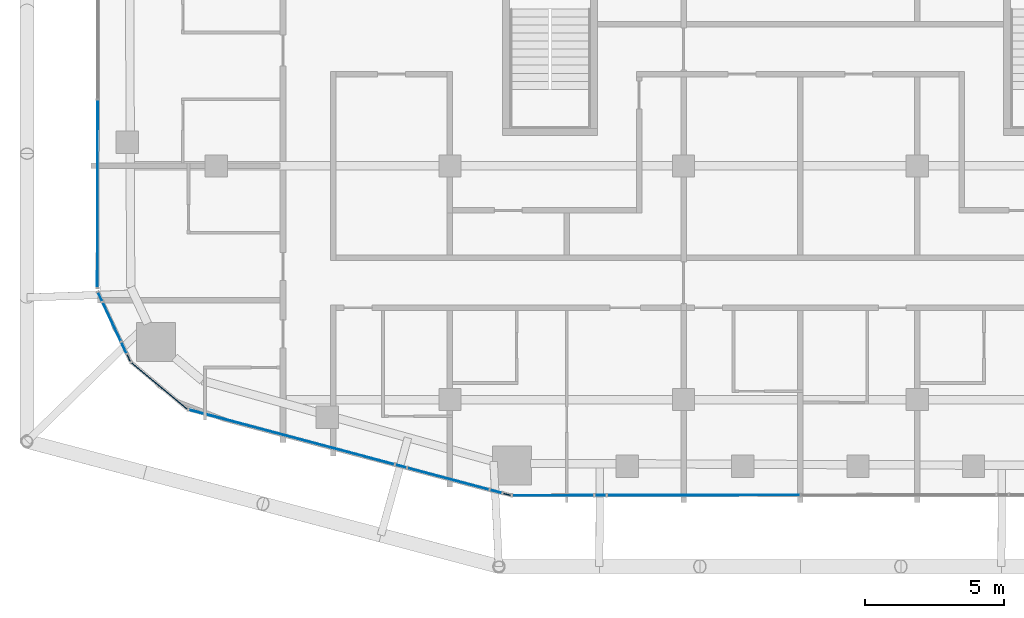
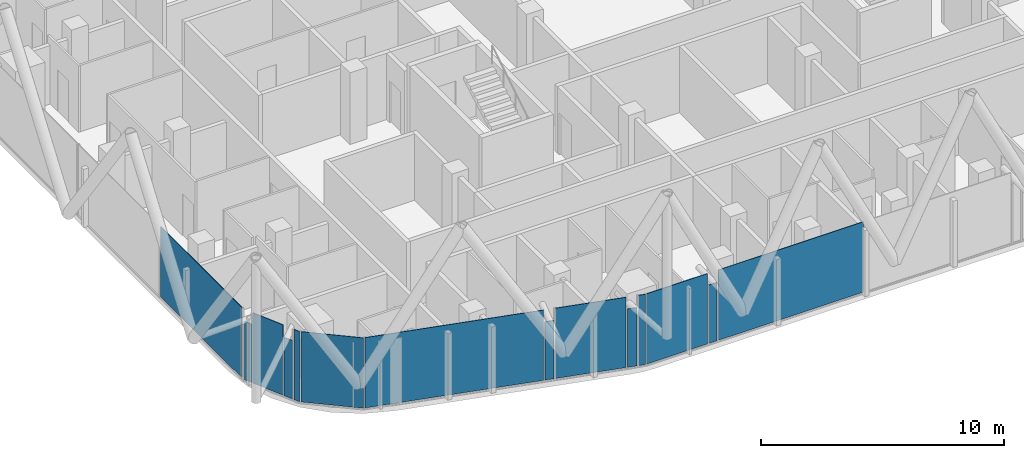
# One storey, part 14 of 31: 14 plates, 14 elements without a shape of their own.
"""IFC4 building model written with IfcOpenShell, lengths in metres."""

from ifc_helpers import new_model, si_unit, direction, frame, origin, origin_2d, place, context, subcontext, project, spatial, rectangle, extrude, material, layer, layer_set, type_object, element, aggregate, save


model = new_model("IFC4")

# Units and contexts
model_context = context("Model", 3, precision=1e-05, world=origin(), true_north=direction((0.0, 1.0)))
body_context = subcontext(model_context, "Body", "Model", "MODEL_VIEW")
ifc_project = project(units=[si_unit("LENGTHUNIT", "METRE"), si_unit("AREAUNIT", "SQUARE_METRE"), si_unit("VOLUMEUNIT", "CUBIC_METRE"), si_unit("PLANEANGLEUNIT", "RADIAN"), si_unit("MASSUNIT", "GRAM", prefix="KILO")], contexts=[model_context])

# Site, building, storey
site_placement = place(None, origin())
site = spatial("IfcSite", under=ifc_project, at=site_placement, CompositionType="ELEMENT")
building_placement = place(site_placement, origin())
building = spatial("IfcBuilding", under=site, at=building_placement, Name="Marenta Gate Hotel Tower", CompositionType="ELEMENT")
storey_placement = place(building_placement, frame((0.0, 0.0, 234.5)))
storey = spatial("IfcBuildingStorey", under=building, at=storey_placement, Name="L55", CompositionType="ELEMENT", Elevation=234.5)

# Curtain wall, plate
ifc_material_1 = material(Name="Tinted insulated glass in bronze anodised frame", Category="glass")
ifc_layer_1 = layer(ifc_material_1, 0.1201171875)
ifc_layer_set_1 = layer_set([ifc_layer_1], Name="Tinted insulated glass in bronze anodised frame")
curtain_wall_type = type_object("IfcCurtainWallType", Name="Tower unitised curtain wall CW1", PredefinedType="NOTDEFINED", material=ifc_layer_set_1)
curtain_wall_1_placement = place(storey_placement, origin())
curtain_wall_1 = element("IfcCurtainWall", 1, at=curtain_wall_1_placement, inside=storey, type_object=curtain_wall_type, Name="CW1 run G08", PredefinedType="NOTDEFINED")
ifc_material_2 = material(Name="Tinted insulated glass", Category="glass")
ifc_layer_2 = layer(ifc_material_2, 0.028076171875)
ifc_layer_set_2 = layer_set([ifc_layer_2], Name="Tinted insulated glass")
plate_type = type_object("IfcPlateType", Name="Glass panel CW1 28 mm tinted insulated unit", PredefinedType="CURTAIN_PANEL", material=ifc_layer_set_2)
plate_1_placement = place(storey_placement, frame((-25.267578125, -17.800537109375, 0.06005859375), z_axis=(0.0, 0.0, 1.0), x_axis=(-0.001564651623, -0.999998775932, 0.0)))
plate_1 = element("IfcPlate", 2, at=plate_1_placement, type_object=plate_type, Name="CW1 panel 3.1", PredefinedType="CURTAIN_PANEL", context=body_context, shape_type="SweptSolid", body=[
    extrude(rectangle(XDim=6.7060546875, YDim=0.028076171875, at=origin_2d()), origin(), (0.0, 0.0, 1.0), 3.5400390625),
])
aggregate(curtain_wall_1, [plate_1])

curtain_wall_2_placement = place(storey_placement, origin())
curtain_wall_2 = element("IfcCurtainWall", 3, at=curtain_wall_2_placement, inside=storey, type_object=curtain_wall_type, Name="CW1 run G09", PredefinedType="NOTDEFINED")
plate_2_placement = place(storey_placement, frame((-25.174560546875, -21.50439453125, 0.06005859375), z_axis=(0.0, 0.0, 1.0), x_axis=(0.423345141478, -0.905968482447, 0.0)))
plate_2 = element("IfcPlate", 4, at=plate_2_placement, type_object=plate_type, Name="CW1 panel 1.1", PredefinedType="CURTAIN_PANEL", context=body_context, shape_type="SweptSolid", body=[
    extrude(rectangle(XDim=0.344970703125, YDim=0.028076171875, at=origin_2d()), origin(), (0.0, 0.0, 1.0), 2.9404296875),
])
aggregate(curtain_wall_2, [plate_2])

curtain_wall_3_placement = place(storey_placement, origin())
curtain_wall_3 = element("IfcCurtainWall", 5, at=curtain_wall_3_placement, inside=storey, type_object=curtain_wall_type, Name="CW1 run G10", PredefinedType="NOTDEFINED")
plate_3_placement = place(storey_placement, frame((-24.75390625, -22.40478515625, 0.06005859375), z_axis=(0.0, 0.0, 1.0), x_axis=(0.423328093078, -0.905976448707, 0.0)))
plate_3 = element("IfcPlate", 6, at=plate_3_placement, type_object=plate_type, Name="CW1 panel 1.1", PredefinedType="CURTAIN_PANEL", context=body_context, shape_type="SweptSolid", body=[
    extrude(rectangle(XDim=1.52294921875, YDim=0.028076171875, at=origin_2d()), origin(), (0.0, 0.0, 1.0), 3.5400390625),
])
aggregate(curtain_wall_3, [plate_3])

curtain_wall_4_placement = place(storey_placement, origin())
curtain_wall_4 = element("IfcCurtainWall", 7, at=curtain_wall_4_placement, inside=storey, type_object=curtain_wall_type, Name="CW1 run G11", PredefinedType="NOTDEFINED")
plate_4_placement = place(storey_placement, frame((-24.317138671875, -23.33935546875, 0.06005859375), z_axis=(0.0, 0.0, 1.0), x_axis=(0.423387289241, -0.905948786251, 0.0)))
plate_4 = element("IfcPlate", 8, at=plate_4_placement, type_object=plate_type, Name="CW1 panel 1.1", PredefinedType="CURTAIN_PANEL", context=body_context, shape_type="SweptSolid", body=[
    extrude(rectangle(XDim=0.419921875, YDim=0.028076171875, at=origin_2d()), origin(), (0.0, 0.0, 1.0), 2.9404296875),
])
aggregate(curtain_wall_4, [plate_4])

curtain_wall_5_placement = place(storey_placement, origin())
curtain_wall_5 = element("IfcCurtainWall", 9, at=curtain_wall_5_placement, inside=storey, type_object=curtain_wall_type, Name="CW1 run G12", PredefinedType="NOTDEFINED")
plate_5_placement = place(storey_placement, frame((-24.142822265625, -23.71240234375, 0.06005859375), z_axis=(0.0, 0.0, 1.0), x_axis=(0.423299800084, -0.905989668401, 0.0)))
plate_5 = element("IfcPlate", 10, at=plate_5_placement, type_object=plate_type, Name="CW1 panel 1.1", PredefinedType="CURTAIN_PANEL", context=body_context, shape_type="SweptSolid", body=[
    extrude(rectangle(XDim=0.283447265625, YDim=0.028076171875, at=origin_2d()), origin(), (0.0, 0.0, 1.0), 3.5400390625),
])
aggregate(curtain_wall_5, [plate_5])

curtain_wall_6_placement = place(storey_placement, origin())
curtain_wall_6 = element("IfcCurtainWall", 11, at=curtain_wall_6_placement, inside=storey, type_object=curtain_wall_type, Name="CW1 run G13", PredefinedType="NOTDEFINED")
plate_6_placement = place(storey_placement, frame((-23.0361328125, -24.716064453125, 0.06005859375), z_axis=(0.0, 0.0, 1.0), x_axis=(0.767102345594, -0.641524739495, 0.0)))
plate_6 = element("IfcPlate", 12, at=plate_6_placement, type_object=plate_type, Name="CW1 panel 1.1", PredefinedType="CURTAIN_PANEL", context=body_context, shape_type="SweptSolid", body=[
    extrude(rectangle(XDim=2.609375, YDim=0.028076171875, at=origin_2d()), origin(), (0.0, 0.0, 1.0), 3.5400390625),
])
aggregate(curtain_wall_6, [plate_6])

curtain_wall_7_placement = place(storey_placement, origin())
curtain_wall_7 = element("IfcCurtainWall", 13, at=curtain_wall_7_placement, inside=storey, type_object=curtain_wall_type, Name="CW1 run G14", PredefinedType="NOTDEFINED")
plate_7_placement = place(storey_placement, frame((-18.292724609375, -26.548828125, 0.06005859375), z_axis=(0.0, 0.0, 1.0), x_axis=(0.966375170847, -0.257136207427, 0.0)))
plate_7 = element("IfcPlate", 14, at=plate_7_placement, type_object=plate_type, Name="CW1 panel 1.1", PredefinedType="CURTAIN_PANEL", context=body_context, shape_type="SweptSolid", body=[
    extrude(rectangle(XDim=7.62548828125, YDim=0.028076171875, at=origin_2d()), origin(), (0.0, 0.0, 1.0), 3.5400390625),
])
aggregate(curtain_wall_7, [plate_7])

curtain_wall_8_placement = place(storey_placement, origin())
curtain_wall_8 = element("IfcCurtainWall", 15, at=curtain_wall_8_placement, inside=storey, type_object=curtain_wall_type, Name="CW1 run G15", PredefinedType="NOTDEFINED")
plate_8_placement = place(storey_placement, frame((-14.3603515625, -27.59521484375, 0.06005859375), z_axis=(0.0, 0.0, 1.0), x_axis=(0.966370359942, -0.257154287199, 0.0)))
plate_8 = element("IfcPlate", 16, at=plate_8_placement, type_object=plate_type, Name="CW1 panel 1.1", PredefinedType="CURTAIN_PANEL", context=body_context, shape_type="SweptSolid", body=[
    extrude(rectangle(XDim=0.39306640625, YDim=0.028076171875, at=origin_2d()), origin(), (0.0, 0.0, 1.0), 2.9404296875),
])
aggregate(curtain_wall_8, [plate_8])

curtain_wall_9_placement = place(storey_placement, origin())
curtain_wall_9 = element("IfcCurtainWall", 17, at=curtain_wall_9_placement, inside=storey, type_object=curtain_wall_type, Name="CW1 run G16", PredefinedType="NOTDEFINED")
plate_9_placement = place(storey_placement, frame((-12.658203125, -28.048095703125, 0.06005859375), z_axis=(0.0, 0.0, 1.0), x_axis=(0.96638022581, -0.257117208999, 0.0)))
plate_9 = element("IfcPlate", 18, at=plate_9_placement, type_object=plate_type, Name="CW1 panel 1.1", PredefinedType="CURTAIN_PANEL", context=body_context, shape_type="SweptSolid", body=[
    extrude(rectangle(XDim=3.009765625, YDim=0.028076171875, at=origin_2d()), origin(), (0.0, 0.0, 1.0), 3.5400390625),
])
aggregate(curtain_wall_9, [plate_9])

curtain_wall_10_placement = place(storey_placement, origin())
curtain_wall_10 = element("IfcCurtainWall", 19, at=curtain_wall_10_placement, inside=storey, type_object=curtain_wall_type, Name="CW1 run G17", PredefinedType="NOTDEFINED")
plate_10_placement = place(storey_placement, frame((-10.945068359375, -28.50390625, 0.06005859375), z_axis=(0.0, 0.0, 1.0), x_axis=(0.966384808868, -0.257099982864, 0.0)))
plate_10 = element("IfcPlate", 20, at=plate_10_placement, type_object=plate_type, Name="CW1 panel 1.1", PredefinedType="CURTAIN_PANEL", context=body_context, shape_type="SweptSolid", body=[
    extrude(rectangle(XDim=0.415771484375, YDim=0.028076171875, at=origin_2d()), origin(), (0.0, 0.0, 1.0), 2.9404296875),
])
aggregate(curtain_wall_10, [plate_10])

curtain_wall_11_placement = place(storey_placement, origin())
curtain_wall_11 = element("IfcCurtainWall", 21, at=curtain_wall_11_placement, inside=storey, type_object=curtain_wall_type, Name="CW1 run G18", PredefinedType="NOTDEFINED")
plate_11_placement = place(storey_placement, frame((-10.546142578125, -28.610107421875, 0.06005859375), z_axis=(0.0, 0.0, 1.0), x_axis=(0.966296560535, -0.257431460974, 0.0)))
plate_11 = element("IfcPlate", 22, at=plate_11_placement, type_object=plate_type, Name="CW1 panel 1.1", PredefinedType="CURTAIN_PANEL", context=body_context, shape_type="SweptSolid", body=[
    extrude(rectangle(XDim=0.2900390625, YDim=0.028076171875, at=origin_2d()), origin(), (0.0, 0.0, 1.0), 3.5400390625),
])
aggregate(curtain_wall_11, [plate_11])

curtain_wall_12_placement = place(storey_placement, origin())
curtain_wall_12 = element("IfcCurtainWall", 23, at=curtain_wall_12_placement, inside=storey, type_object=curtain_wall_type, Name="CW1 run G19", PredefinedType="NOTDEFINED")
plate_12_placement = place(storey_placement, frame((-8.894287109375, -28.64501953125, 0.06005859375), z_axis=(0.0, 0.0, 1.0), x_axis=(0.999998632869, 0.001653559645, 0.0)))
plate_12 = element("IfcPlate", 24, at=plate_12_placement, type_object=plate_type, Name="CW1 panel 1.1", PredefinedType="CURTAIN_PANEL", context=body_context, shape_type="SweptSolid", body=[
    extrude(rectangle(XDim=2.9033203125, YDim=0.028076171875, at=origin_2d()), origin(), (0.0, 0.0, 1.0), 3.5400390625),
])
aggregate(curtain_wall_12, [plate_12])

curtain_wall_13_placement = place(storey_placement, origin())
curtain_wall_13 = element("IfcCurtainWall", 25, at=curtain_wall_13_placement, inside=storey, type_object=curtain_wall_type, Name="CW1 run G20", PredefinedType="NOTDEFINED")
plate_13_placement = place(storey_placement, frame((-7.186279296875, -28.64208984375, 0.06005859375), z_axis=(0.0, 0.0, 1.0), x_axis=(0.999998440618, 0.001766001654, 0.0)))
plate_13 = element("IfcPlate", 26, at=plate_13_placement, type_object=plate_type, Name="CW1 panel 1.1", PredefinedType="CURTAIN_PANEL", context=body_context, shape_type="SweptSolid", body=[
    extrude(rectangle(XDim=0.39306640625, YDim=0.028076171875, at=origin_2d()), origin(), (0.0, 0.0, 1.0), 2.9404296875),
])
aggregate(curtain_wall_13, [plate_13])

curtain_wall_14_placement = place(storey_placement, origin())
curtain_wall_14 = element("IfcCurtainWall", 27, at=curtain_wall_14_placement, inside=storey, type_object=curtain_wall_type, Name="CW1 run G21", PredefinedType="NOTDEFINED")
plate_14_placement = place(storey_placement, frame((-3.474853515625, -28.635986328125, 0.06005859375), z_axis=(0.0, 0.0, 1.0), x_axis=(0.99999866205, 0.001635817263, 0.0)))
plate_14 = element("IfcPlate", 28, at=plate_14_placement, type_object=plate_type, Name="CW1 panel 1.1", PredefinedType="CURTAIN_PANEL", context=body_context, shape_type="SweptSolid", body=[
    extrude(rectangle(XDim=6.90966796875, YDim=0.028076171875, at=origin_2d()), origin(), (0.0, 0.0, 1.0), 3.5400390625),
])
aggregate(curtain_wall_14, [plate_14])

save(model, "model.ifc")
